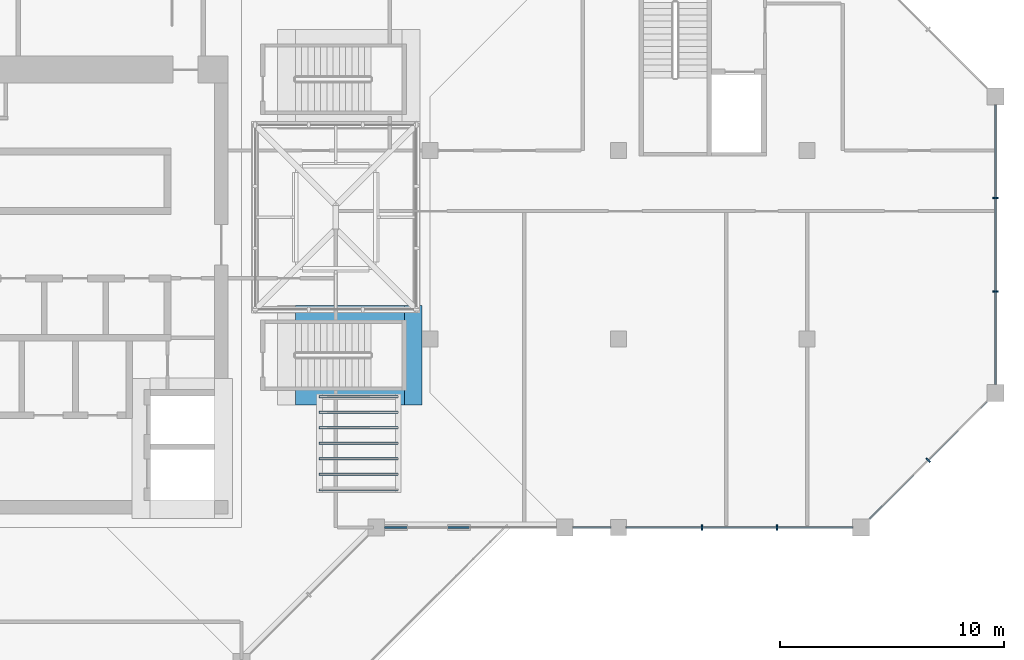
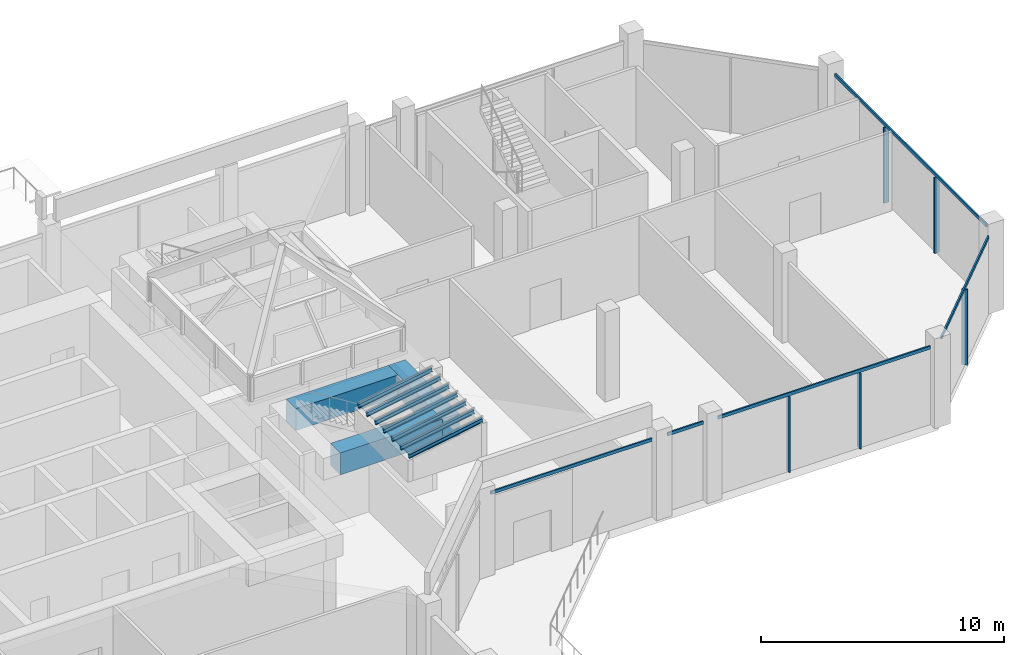
# One storey, part 3 of 15: 10 beams, 10 members, 3 elements without a shape of their own.
"""IFC4 building model written with IfcOpenShell, lengths in metres."""

from ifc_helpers import new_model, si_unit, direction, frame, origin, origin_2d, place, context, subcontext, project, spatial, rectangle, i_section, extrude, material, layer, layer_set, material_profile, profile_set, type_object, element, aggregate, save


model = new_model("IFC4")

# Units and contexts
model_context = context("Model", 3, precision=1e-05, world=origin(), true_north=direction((0.0, 1.0)))
body_context = subcontext(model_context, "Body", "Model", "MODEL_VIEW")
ifc_project = project(units=[si_unit("LENGTHUNIT", "METRE"), si_unit("AREAUNIT", "SQUARE_METRE"), si_unit("VOLUMEUNIT", "CUBIC_METRE"), si_unit("PLANEANGLEUNIT", "RADIAN"), si_unit("MASSUNIT", "GRAM", prefix="KILO")], contexts=[model_context])

# Site, building, storey
site_placement = place(None, origin())
site = spatial("IfcSite", under=ifc_project, at=site_placement, CompositionType="ELEMENT")
building_placement = place(site_placement, origin())
building = spatial("IfcBuilding", under=site, at=building_placement, Name="Kawkab Arch Medical Tower", CompositionType="ELEMENT")
storey_placement = place(building_placement, frame((0.0, 0.0, 332.199951171875)))
storey = spatial("IfcBuildingStorey", under=building, at=storey_placement, Name="L77", CompositionType="ELEMENT", Elevation=332.199951171875)

# Curtain wall, members
ifc_material_1 = material(Name="Bronze anodised aluminium curtain wall frame", Category="aluminium")
ifc_layer = layer(ifc_material_1, 0.159912109375)
ifc_layer_set = layer_set([ifc_layer], Name="Bronze anodised aluminium curtain wall frame")
curtain_wall_type = type_object("IfcCurtainWallType", Name="CW6 helipad lobby and crown glazing", PredefinedType="NOTDEFINED", material=ifc_layer_set)
placement = place(storey_placement, origin())
curtain_wall_1 = element("IfcCurtainWall", 1, at=placement, inside=storey, type_object=curtain_wall_type, Name="CW6 Helipad lobby and crown glazing R11", PredefinedType="NOTDEFINED")
ifc_material_2 = material(Name="Bronze anodised aluminium curtain wall frame", Category="aluminium")
ifc_material_profile_1 = material_profile(ifc_material_2, rectangle(XDim=0.239990234375, YDim=0.070068359375, at=origin_2d()), Name="AL 70x240")
ifc_profile_set_1 = profile_set([ifc_material_profile_1], Name="Bronze anodised aluminium curtain wall frame")
member_type_1 = type_object("IfcMemberType", Name="CW6 mullion 70 x 240", PredefinedType="MULLION", material=ifc_profile_set_1)
member_1_placement = place(storey_placement, frame((45.708251953125, -25.199951171875, 0.0), z_axis=(0.0, 0.0, 1.0), x_axis=(0.0, 1.0, 0.0)))
member_1 = element("IfcMember", 2, at=member_1_placement, type_object=member_type_1, Name="CW6 mullion 3.1", PredefinedType="MULLION", context=body_context, shape_type="SweptSolid", body=[
    extrude(rectangle(XDim=0.239990234375, YDim=0.070068359375, at=origin_2d()), origin(), (0.0, 0.0, 1.0), 3.7900390625),
])
member_2_placement = place(storey_placement, frame((49.066650390625, -25.199951171875, 0.0), z_axis=(0.0, 0.0, 1.0), x_axis=(0.0, 1.0, 0.0)))
member_2 = element("IfcMember", 3, at=member_2_placement, type_object=member_type_1, Name="CW6 mullion 3.2", PredefinedType="MULLION", context=body_context, shape_type="SweptSolid", body=[
    extrude(rectangle(XDim=0.239990234375, YDim=0.070068359375, at=origin_2d()), origin(), (0.0, 0.0, 1.0), 3.7900390625),
])

# Curtain wall, member
curtain_wall_2 = element("IfcCurtainWall", 4, at=placement, inside=storey, type_object=curtain_wall_type, Name="CW6 Helipad lobby and crown glazing R12", PredefinedType="NOTDEFINED")
member_3_placement = place(storey_placement, frame((55.800048828125, -22.199951171875, 0.0), z_axis=(0.0, 0.0, 1.0), x_axis=(-0.707106781187, 0.707106781187, 0.0)))
member_3 = element("IfcMember", 5, at=member_3_placement, type_object=member_type_1, Name="CW6 mullion 1.1", PredefinedType="MULLION", context=body_context, shape_type="SweptSolid", body=[
    extrude(rectangle(XDim=0.239990234375, YDim=0.070068359375, at=origin_2d()), origin(), (0.0, 0.0, 1.0), 3.7900390625),
])

# Curtain wall, members
curtain_wall_3 = element("IfcCurtainWall", 6, at=placement, inside=storey, type_object=curtain_wall_type, Name="CW6 Helipad lobby and crown glazing R13", PredefinedType="NOTDEFINED")
member_4_placement = place(storey_placement, frame((58.800048828125, -14.675048828125, 0.0), z_axis=(0.0, 0.0, 1.0), x_axis=(-1.0, 0.0, 0.0)))
member_4 = element("IfcMember", 7, at=member_4_placement, type_object=member_type_1, Name="CW6 mullion 1.1", PredefinedType="MULLION", context=body_context, shape_type="SweptSolid", body=[
    extrude(rectangle(XDim=0.239990234375, YDim=0.070068359375, at=origin_2d()), origin(), (0.0, 0.0, 1.0), 3.7900390625),
])
member_5_placement = place(storey_placement, frame((58.800048828125, -10.52490234375, 0.0), z_axis=(0.0, 0.0, 1.0), x_axis=(-1.0, 0.0, 0.0)))
member_5 = element("IfcMember", 8, at=member_5_placement, type_object=member_type_1, Name="CW6 mullion 1.2", PredefinedType="MULLION", context=body_context, shape_type="SweptSolid", body=[
    extrude(rectangle(XDim=0.239990234375, YDim=0.070068359375, at=origin_2d()), origin(), (0.0, 0.0, 1.0), 3.7900390625),
])

# Member
ifc_material_3 = material(Name="Bronze anodised aluminium curtain wall frame", Category="aluminium")
ifc_material_profile_2 = material_profile(ifc_material_3, rectangle(XDim=0.070068359375, YDim=0.159912109375, at=origin_2d()), Name="AL 70x160")
ifc_profile_set_2 = profile_set([ifc_material_profile_2], Name="Bronze anodised aluminium curtain wall frame")
member_type_2 = type_object("IfcMemberType", Name="CW6 transom 160 x 70", PredefinedType="USERDEFINED", material=ifc_profile_set_2)
member_6_placement = place(storey_placement, frame((31.574951171875, -25.199951171875, 3.8701171875), z_axis=(1.0, 0.0, 0.0), x_axis=(0.0, 1.0, 0.0)))
member_6 = element("IfcMember", 9, at=member_6_placement, type_object=member_type_2, Name="CW6 transom 1", ObjectType="TRANSOM", PredefinedType="USERDEFINED", context=body_context, shape_type="SweptSolid", body=[
    extrude(rectangle(XDim=0.070068359375, YDim=0.159912109375, at=origin_2d()), origin(), (0.0, 0.0, 1.0), 7.650146484375),
])

member_7_placement = place(storey_placement, frame((39.97509765625, -25.199951171875, 3.8701171875), z_axis=(1.0, 0.0, 0.0), x_axis=(0.0, 1.0, 0.0)))
member_7 = element("IfcMember", 10, at=member_7_placement, type_object=member_type_2, Name="CW6 transom 2", ObjectType="TRANSOM", PredefinedType="USERDEFINED", context=body_context, shape_type="SweptSolid", body=[
    extrude(rectangle(XDim=0.070068359375, YDim=0.159912109375, at=origin_2d()), origin(), (0.0, 0.0, 1.0), 1.6748046875),
])

member_8_placement = place(storey_placement, frame((42.35009765625, -25.199951171875, 3.8701171875), z_axis=(1.0, 0.0, 0.0), x_axis=(0.0, 1.0, 0.0)))
member_8 = element("IfcMember", 11, at=member_8_placement, type_object=member_type_2, Name="CW6 transom 3", ObjectType="TRANSOM", PredefinedType="USERDEFINED", context=body_context, shape_type="SweptSolid", body=[
    extrude(rectangle(XDim=0.070068359375, YDim=0.159912109375, at=origin_2d()), origin(), (0.0, 0.0, 1.0), 10.074951171875),
])

aggregate(curtain_wall_1, [member_6, member_7, member_8, member_1, member_2])

member_9_placement = place(storey_placement, frame((53.175048828125, -24.824951171875, 3.8701171875), z_axis=(0.707106781187, 0.707106781187, 0.0), x_axis=(-0.707106781187, 0.707106781187, 0.0)))
member_9 = element("IfcMember", 12, at=member_9_placement, type_object=member_type_2, Name="CW6 transom 1", ObjectType="TRANSOM", PredefinedType="USERDEFINED", context=body_context, shape_type="SweptSolid", body=[
    extrude(rectangle(XDim=0.070068359375, YDim=0.159912109375, at=origin_2d()), origin(), (0.0, 0.0, 1.0), 7.424560546875),
])

aggregate(curtain_wall_2, [member_9, member_3])

member_10_placement = place(storey_placement, frame((58.800048828125, -18.824951171875, 3.8701171875), z_axis=(0.0, 1.0, 0.0), x_axis=(-1.0, 0.0, 0.0)))
member_10 = element("IfcMember", 13, at=member_10_placement, type_object=member_type_2, Name="CW6 transom 1", ObjectType="TRANSOM", PredefinedType="USERDEFINED", context=body_context, shape_type="SweptSolid", body=[
    extrude(rectangle(XDim=0.070068359375, YDim=0.159912109375, at=origin_2d()), origin(), (0.0, 0.0, 1.0), 12.449951171875),
])

aggregate(curtain_wall_3, [member_10, member_4, member_5])

# Beams
ifc_material_4 = material(Name="Concrete C40/50", Category="concrete")
ifc_material_profile_3 = material_profile(ifc_material_4, rectangle(XDim=0.800048828125, YDim=1.10009765625, at=origin_2d()), Name="RC 800x1100")
ifc_profile_set_3 = profile_set([ifc_material_profile_3], Name="Concrete C40/50")
beam_type_1 = type_object("IfcBeamType", Name="RC 800x1100 beam C40/50", PredefinedType="BEAM", material=ifc_profile_set_3)
beam_placement = place(storey_placement, frame((32.85009765625, -19.75, 3.400146484375), z_axis=(0.0, 1.0, 0.0), x_axis=(-1.0, 0.0, 0.0)))
element("IfcBeam", 14, at=beam_placement, inside=storey, type_object=beam_type_1, Name="Deck trimmer beam 02E", PredefinedType="BEAM", context=body_context, shape_type="SweptSolid", body=[
    extrude(rectangle(XDim=0.800048828125, YDim=1.10009765625, at=origin_2d()), origin(), (0.0, 0.0, 1.0), 4.449951171875),
])
for number, where, z_axis, x_axis, name in (
    (15, (27.60009765625, -19.35009765625, 3.400146484375), (1.0, 0.0, 0.0), (0.0, 1.0, 0.0), "Deck trimmer beam 02S"),
    (16, (27.60009765625, -15.699951171875, 3.400146484375), (1.0, 0.0, 0.0), (0.0, 1.0, 0.0), "Deck trimmer beam 02N"),
):
    element("IfcBeam", number, at=place(storey_placement, frame(where, z_axis=z_axis, x_axis=x_axis)), inside=storey, type_object=beam_type_1, Name=name, PredefinedType="BEAM", context=body_context, shape_type="SweptSolid", body=[
        extrude(rectangle(XDim=0.800048828125, YDim=1.10009765625, at=origin_2d()), origin(), (0.0, 0.0, 1.0), 4.849853515625),
    ])
ifc_material_5 = material(Name="Steel S355", Category="steel")
ifc_material_profile_4 = material_profile(ifc_material_5, i_section(OverallWidth=0.10009765625, OverallDepth=0.199951171875, WebThickness=0.005615234375, FlangeThickness=0.008544921875, at=origin_2d()), Name="IPE 200")
ifc_profile_set_4 = profile_set([ifc_material_profile_4], Name="Steel S355")
beam_type_2 = type_object("IfcBeamType", Name="Rooflight rafter IPE 200", PredefinedType="BEAM", material=ifc_profile_set_4)
for number, where, z_axis, x_axis, name in (
    (17, (28.65771484375, -19.375, 5.698486328125), (0.984805680635, 0.0, 0.173659930291), (0.0, 1.0, 0.0), "Rooflight rafter 1"),
    (18, (28.65771484375, -20.066650390625, 5.698486328125), (0.984805680635, 0.0, 0.173659930291), (0.0, 1.0, 0.0), "Rooflight rafter 2"),
    (19, (28.65771484375, -20.75830078125, 5.698486328125), (0.984805680635, 0.0, 0.173659930291), (0.0, 1.0, 0.0), "Rooflight rafter 3"),
    (20, (28.65771484375, -21.449951171875, 5.698486328125), (0.984805680635, 0.0, 0.173659930291), (0.0, 1.0, 0.0), "Rooflight rafter 4"),
    (21, (28.65771484375, -22.1416015625, 5.698486328125), (0.984805680635, 0.0, 0.173659930291), (0.0, 1.0, 0.0), "Rooflight rafter 5"),
    (22, (28.65771484375, -22.833251953125, 5.698486328125), (0.984805680635, 0.0, 0.173659930291), (0.0, 1.0, 0.0), "Rooflight rafter 6"),
    (23, (28.65771484375, -23.52490234375, 5.698486328125), (0.984805680635, 0.0, 0.173659930291), (0.0, 1.0, 0.0), "Rooflight rafter 7"),
):
    element("IfcBeam", number, at=place(storey_placement, frame(where, z_axis=z_axis, x_axis=x_axis)), inside=storey, type_object=beam_type_2, Name=name, PredefinedType="BEAM", context=body_context, shape_type="SweptSolid", body=[
        extrude(i_section(OverallWidth=0.10009765625, OverallDepth=0.199951171875, WebThickness=0.005615234375, FlangeThickness=0.008544921875, at=origin_2d()), origin(), (0.0, 0.0, 1.0), 3.553955078125),
    ])

save(model, "model.ifc")
